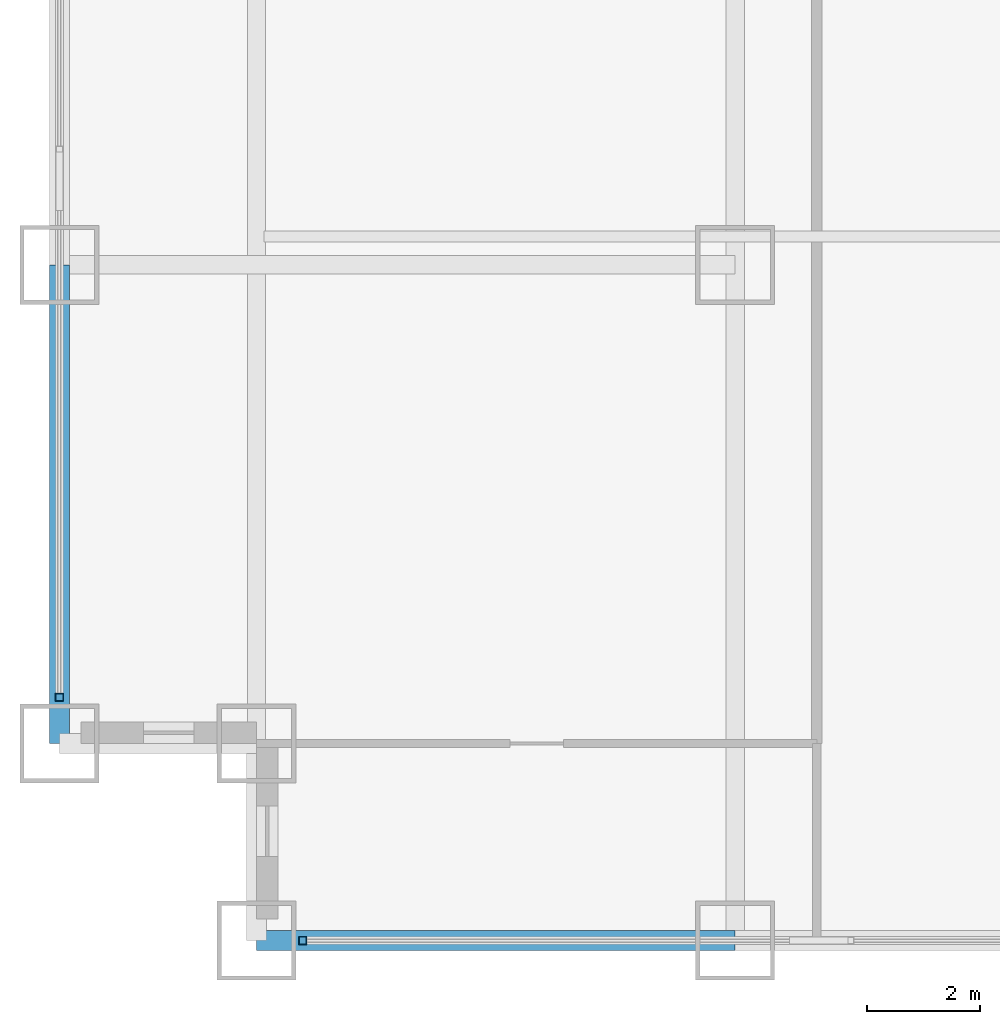
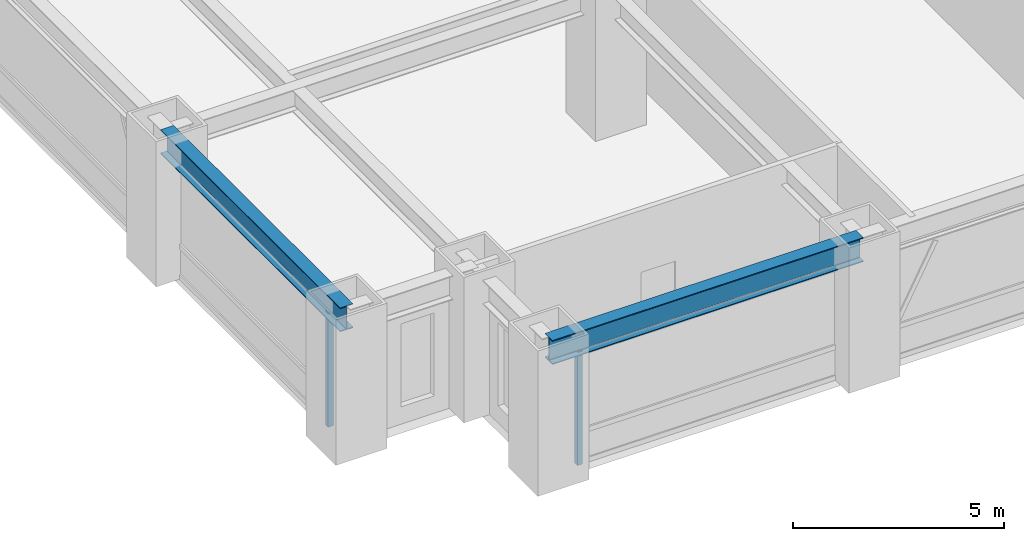
# One storey, part 2 of 27: 2 beams, 2 members, 2 elements without a shape of their own.
"""IFC4 building model written with IfcOpenShell, lengths in metres."""

from ifc_helpers import new_model, si_unit, direction, frame, origin, origin_2d, place, context, subcontext, project, spatial, hollow_rectangle, i_section, extrude, source, transform, mapped, material, material_profile, profile_set, type_object, element, aggregate, save


model = new_model("IFC4")

# Units and contexts
model_context = context("Model", 3, precision=1e-05, world=origin(), true_north=direction((0.0, 1.0)))
body_context = subcontext(model_context, "Body", "Model", "MODEL_VIEW")
ifc_project = project(units=[si_unit("LENGTHUNIT", "METRE"), si_unit("AREAUNIT", "SQUARE_METRE"), si_unit("VOLUMEUNIT", "CUBIC_METRE"), si_unit("PLANEANGLEUNIT", "RADIAN"), si_unit("MASSUNIT", "GRAM", prefix="KILO")], contexts=[model_context])

# Site, building, storey
site_placement = place(None, origin())
site = spatial("IfcSite", under=ifc_project, at=site_placement, CompositionType="ELEMENT")
building_placement = place(site_placement, origin())
building = spatial("IfcBuilding", under=site, at=building_placement, Name="Khorayat Bourse Tower", CompositionType="ELEMENT")
storey_placement = place(building_placement, frame((0.0, 0.0, 53.60009765625)))
storey = spatial("IfcBuildingStorey", under=building, at=storey_placement, Name="L11", CompositionType="ELEMENT", Elevation=53.60009765625)

# Beams
ifc_material_1 = material(Name="Steel ASTM A992 Grade 50", Category="steel")
ifc_material_profile_1 = material_profile(ifc_material_1, i_section(OverallWidth=0.35498046875, OverallDepth=0.695068359375, WebThickness=0.015380859375, FlangeThickness=0.02490234375, FilletRadius=0.01806640625, at=origin_2d()), Name="W690X217")
ifc_profile_set_1 = profile_set([ifc_material_profile_1], Name="Steel ASTM A992 Grade 50")
beam_type = type_object("IfcBeamType", Name="BM-SPAN-690", PredefinedType="SPANDREL", material=ifc_profile_set_1)
shared_shape_1 = source(origin(), body_context, "Body", "SweptSolid", [
    extrude(i_section(OverallWidth=0.35498046875, OverallDepth=0.695068359375, WebThickness=0.015380859375, FlangeThickness=0.02490234375, FilletRadius=0.01806640625, at=origin_2d()), origin(), (0.0, 0.0, 1.0), 8.5),
])
for number, where, z_axis, x_axis, name in (
    (1, (-28.5, -32.0, 3.59228515625), (1.0, 0.0, 0.0), (0.0, 1.0, 0.0), "L11 BM-SPAN-690 BM-L11-SPN-024"),
    (2, (-32.0, -28.5, 3.59228515625), (0.0, 1.0, 0.0), (-1.0, 0.0, 0.0), "L11 BM-SPAN-690 BM-L11-SPN-061"),
):
    element("IfcBeam", number, at=place(storey_placement, frame(where, z_axis=z_axis, x_axis=x_axis)), inside=storey, type_object=beam_type, Name=name, PredefinedType="SPANDREL", context=body_context, shape_type="MappedRepresentation", body=[
        mapped(shared_shape_1, transform((0.0, 0.0, 0.0), scale=1.0)),
    ])

# Curtain wall, member
ifc_material_2 = material(Name="Aluminium EN AW-6063 T6", Category="aluminium")
curtain_wall_type = type_object("IfcCurtainWallType", Name="CW-SYS-02", PredefinedType="NOTDEFINED", material=ifc_material_2)
curtain_wall_1_placement = place(storey_placement, origin())
curtain_wall_1 = element("IfcCurtainWall", 3, at=curtain_wall_1_placement, inside=storey, type_object=curtain_wall_type, Name="L11 Curtain Wall CW-L11-S1", PredefinedType="NOTDEFINED")
ifc_material_profile_2 = material_profile(ifc_material_2, hollow_rectangle(XDim=0.139892578125, YDim=0.139892578125, WallThickness=0.006103515625, at=origin_2d()), Name="ALU 140x140x6")
ifc_profile_set_2 = profile_set([ifc_material_profile_2], Name="Aluminium EN AW-6063 T6")
member_type = type_object("IfcMemberType", Name="CWM-VERT-140", PredefinedType="MULLION", material=ifc_profile_set_2)
shared_shape_2 = source(origin(), body_context, "Body", "SweptSolid", [
    extrude(hollow_rectangle(XDim=0.139892578125, YDim=0.139892578125, WallThickness=0.006103515625, at=origin_2d()), origin(), (0.0, 0.0, 1.0), 3.289794921875),
])
member_1_placement = place(storey_placement, frame((-27.679931640625, -32.0, 0.0), z_axis=(0.0, 0.0, 1.0), x_axis=(0.0, 1.0, 0.0)))
member_1 = element("IfcMember", 4, at=member_1_placement, type_object=member_type, Name="CW-L11-S1 Vertical Mullion 1", PredefinedType="MULLION", context=body_context, shape_type="MappedRepresentation", body=[
    mapped(shared_shape_2, transform((0.0, 0.0, 0.0), scale=1.0)),
])
aggregate(curtain_wall_1, [member_1])

curtain_wall_2_placement = place(storey_placement, origin())
curtain_wall_2 = element("IfcCurtainWall", 5, at=curtain_wall_2_placement, inside=storey, type_object=curtain_wall_type, Name="L11 Curtain Wall CW-L11-W1", PredefinedType="NOTDEFINED")
member_2_placement = place(storey_placement, frame((-32.0, -27.679931640625, 0.0), z_axis=(0.0, 0.0, 1.0), x_axis=(-1.0, 0.0, 0.0)))
member_2 = element("IfcMember", 6, at=member_2_placement, type_object=member_type, Name="CW-L11-W1 Vertical Mullion 1", PredefinedType="MULLION", context=body_context, shape_type="MappedRepresentation", body=[
    mapped(shared_shape_2, transform((0.0, 0.0, 0.0), scale=1.0)),
])
aggregate(curtain_wall_2, [member_2])

save(model, "model.ifc")
